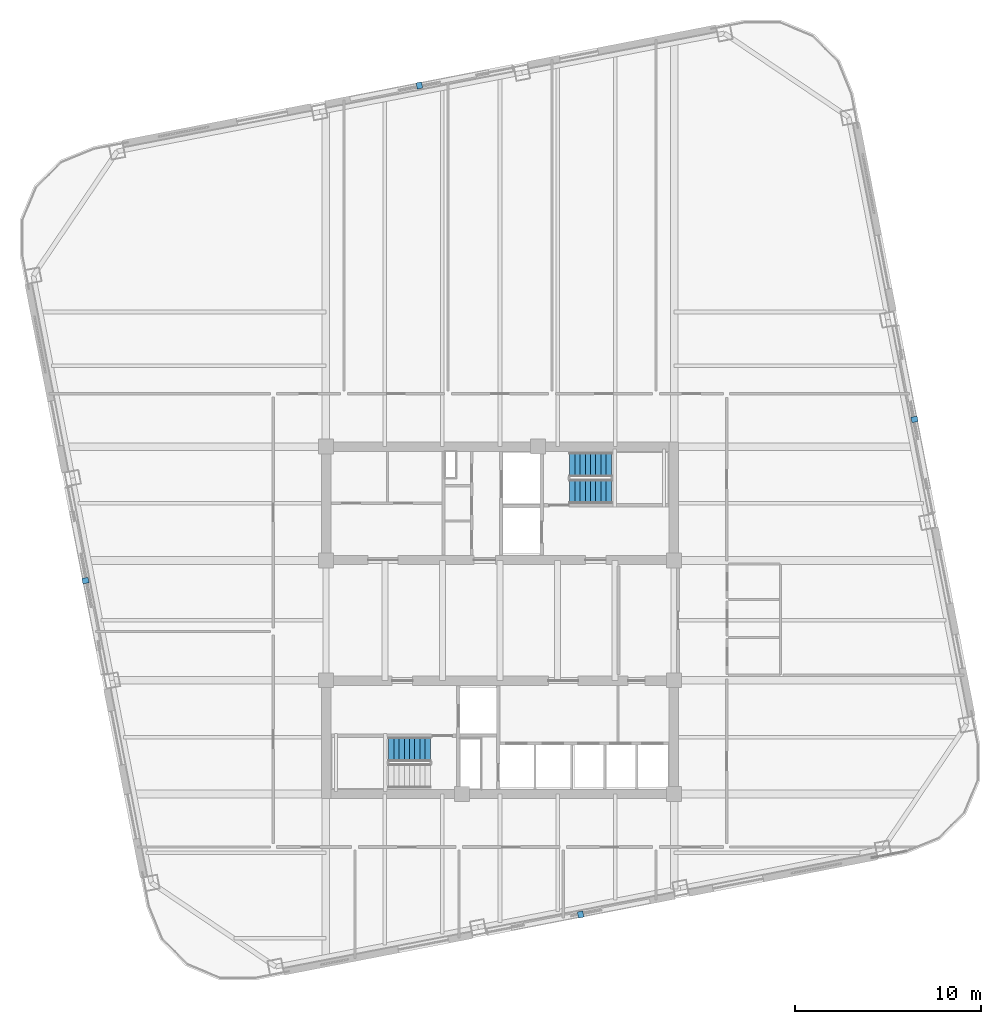
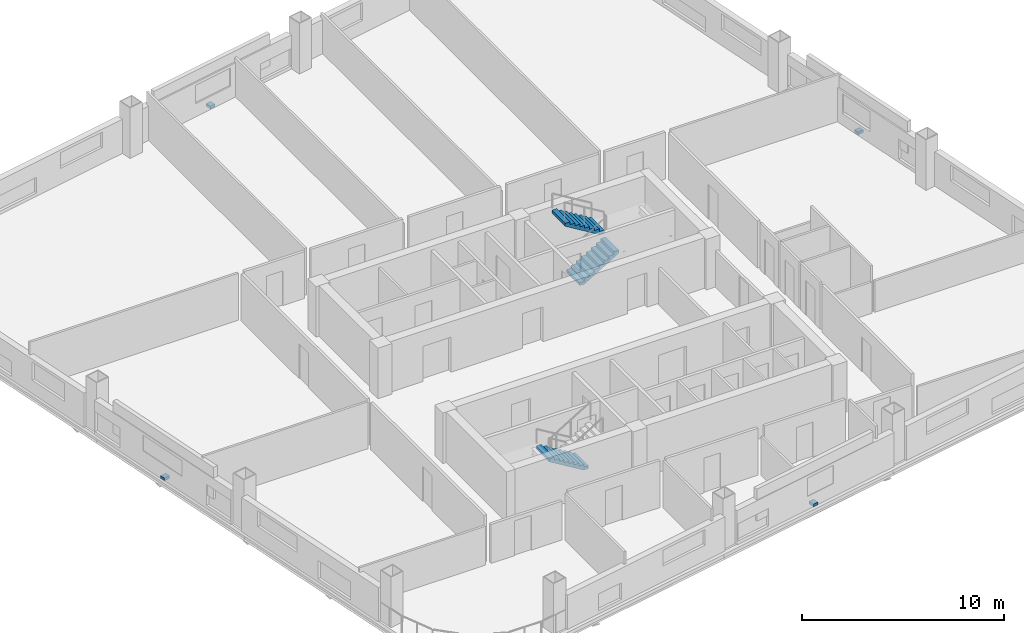
# One storey, part 6 of 9: 4 discrete accessories, 3 stair flights, 2 elements without a shape of their own.
"""IFC4 building model written with IfcOpenShell, lengths in metres."""

from ifc_helpers import new_model, si_unit, direction, frame, origin, origin_2d, place, context, subcontext, project, spatial, polyline, rectangle, outline, extrude, material, type_object, element, aggregate, save


model = new_model("IFC4")

# Units and contexts
model_context = context("Model", 3, precision=1e-05, world=origin(), true_north=direction((0.0, 1.0)))
body_context = subcontext(model_context, "Body", "Model", "MODEL_VIEW")
ifc_project = project(units=[si_unit("LENGTHUNIT", "METRE"), si_unit("AREAUNIT", "SQUARE_METRE"), si_unit("VOLUMEUNIT", "CUBIC_METRE"), si_unit("PLANEANGLEUNIT", "RADIAN"), si_unit("MASSUNIT", "GRAM", prefix="KILO")], contexts=[model_context])

# Site, building, storey
site_placement = place(None, origin())
site = spatial("IfcSite", under=ifc_project, at=site_placement, CompositionType="ELEMENT")
building_placement = place(site_placement, origin())
building = spatial("IfcBuilding", under=site, at=building_placement, Name="Qhalaya Broadcast Tower", CompositionType="ELEMENT")
storey_placement = place(building_placement, frame((0.0, 0.0, 121.949951171875)))
storey = spatial("IfcBuildingStorey", under=building, at=storey_placement, Name="L35", CompositionType="ELEMENT", Elevation=121.949951171875)

# Stair, stair flights
ifc_material_1 = material(Name="Concrete C40/50", Category="concrete")
stair_type = type_object("IfcStairType", Name="Protected Dogleg Core Stair 3150", PredefinedType="TWO_STRAIGHT_RUN_STAIR", material=ifc_material_1)
stair_1_placement = place(storey_placement, origin())
stair_1 = element("IfcStair", 1, at=stair_1_placement, inside=storey, type_object=stair_type, Name="L35 North Core Exit Stair ST-1", PredefinedType="TWO_STRAIGHT_RUN_STAIR")
ifc_material_2 = material(Name="Precast Concrete C40/50", Category="concrete")
stair_flight_type = type_object("IfcStairFlightType", Name="Precast Concrete Stair Flight 3150", PredefinedType="STRAIGHT", material=ifc_material_2)
stair_flight_1_placement = place(storey_placement, frame((3.75, 7.5400390625, 0.0), z_axis=(0.0, 0.0, 1.0), x_axis=(1.0, 0.0, 0.0)))
stair_flight_1 = element("IfcStairFlight", 2, at=stair_flight_1_placement, type_object=stair_flight_type, Name="ST-1 flight 1", NumberOfRisers=9, NumberOfTreads=8, PredefinedType="STRAIGHT", RiserHeight=0.169444444, TreadLength=0.28, context=body_context, shape_type="SweptSolid", body=[
    extrude(outline(polyline([(0.0, 0.0), (0.0, 0.16943359375), (0.280029296875, 0.16943359375), (0.280029296875, 0.3388671875), (0.56005859375, 0.3388671875), (0.56005859375, 0.50830078125), (0.840087890625, 0.50830078125), (0.840087890625, 0.677734375), (1.1201171875, 0.677734375), (1.1201171875, 0.84716796875), (1.39990234375, 0.84716796875), (1.39990234375, 1.0166015625), (1.679931640625, 1.0166015625), (1.679931640625, 1.18603515625), (1.9599609375, 1.18603515625), (1.9599609375, 1.35546875), (2.239990234375, 1.35546875), (2.239990234375, 1.52490234375), (2.239990234375, 1.180419921875), (0.28955078125, 0.0), (0.0, 0.0)])), frame((0.0, 0.66015625, 0.0), z_axis=(0.0, -1.0, 0.0), x_axis=(1.0, 0.0, 0.0)), (0.0, 0.0, 1.0), 1.320068359375),
])
stair_flight_2_placement = place(storey_placement, frame((5.989990234375, 8.97998046875, 1.525146484375), z_axis=(0.0, 0.0, 1.0), x_axis=(-1.0, 0.0, 0.0)))
stair_flight_2 = element("IfcStairFlight", 3, at=stair_flight_2_placement, type_object=stair_flight_type, Name="ST-1 flight 2", NumberOfRisers=9, NumberOfTreads=8, PredefinedType="STRAIGHT", RiserHeight=0.169444444, TreadLength=0.28, context=body_context, shape_type="SweptSolid", body=[
    extrude(outline(polyline([(0.0, 0.0), (0.0, 0.16943359375), (0.280029296875, 0.16943359375), (0.280029296875, 0.3388671875), (0.56005859375, 0.3388671875), (0.56005859375, 0.50830078125), (0.840087890625, 0.50830078125), (0.840087890625, 0.677734375), (1.1201171875, 0.677734375), (1.1201171875, 0.84716796875), (1.39990234375, 0.84716796875), (1.39990234375, 1.0166015625), (1.679931640625, 1.0166015625), (1.679931640625, 1.18603515625), (1.9599609375, 1.18603515625), (1.9599609375, 1.35546875), (2.239990234375, 1.35546875), (2.239990234375, 1.52490234375), (2.239990234375, 1.180419921875), (0.28955078125, 0.0), (0.0, 0.0)])), frame((0.0, 0.66015625, 0.0), z_axis=(0.0, -1.0, 0.0), x_axis=(1.0, 0.0, 0.0)), (0.0, 0.0, 1.0), 1.320068359375),
])
aggregate(stair_1, [stair_flight_1, stair_flight_2])

# Stair, stair flight
stair_2_placement = place(storey_placement, origin())
stair_2 = element("IfcStair", 4, at=stair_2_placement, inside=storey, type_object=stair_type, Name="L35 South Core Exit Stair ST-2", PredefinedType="TWO_STRAIGHT_RUN_STAIR")
stair_flight_3_placement = place(storey_placement, frame((-3.75, -6.340087890625, 0.0), z_axis=(0.0, 0.0, 1.0), x_axis=(-1.0, 0.0, 0.0)))
stair_flight_3 = element("IfcStairFlight", 5, at=stair_flight_3_placement, type_object=stair_flight_type, Name="ST-2 flight 1", NumberOfRisers=9, NumberOfTreads=8, PredefinedType="STRAIGHT", RiserHeight=0.169444444, TreadLength=0.28, context=body_context, shape_type="SweptSolid", body=[
    extrude(outline(polyline([(0.0, 0.0), (0.0, 0.16943359375), (0.280029296875, 0.16943359375), (0.280029296875, 0.3388671875), (0.56005859375, 0.3388671875), (0.56005859375, 0.50830078125), (0.840087890625, 0.50830078125), (0.840087890625, 0.677734375), (1.1201171875, 0.677734375), (1.1201171875, 0.84716796875), (1.39990234375, 0.84716796875), (1.39990234375, 1.0166015625), (1.679931640625, 1.0166015625), (1.679931640625, 1.18603515625), (1.9599609375, 1.18603515625), (1.9599609375, 1.35546875), (2.239990234375, 1.35546875), (2.239990234375, 1.52490234375), (2.239990234375, 1.180419921875), (0.28955078125, 0.0), (0.0, 0.0)])), frame((0.0, 0.66015625, 0.0), z_axis=(0.0, -1.0, 0.0), x_axis=(1.0, 0.0, 0.0)), (0.0, 0.0, 1.0), 1.320068359375),
])
aggregate(stair_2, [stair_flight_3])

# Discrete accessories
ifc_material_3 = material(Name="Structural Steel ASTM A572 Grade 50", Category="steel")
discrete_accessory_type = type_object("IfcDiscreteAccessoryType", Name="Facade Baguette Support Bracket BRK-01", PredefinedType="BRACKET", material=ifc_material_3)
for number, where, z_axis, x_axis, name in (
    (6, (4.337158203125, -15.232421875, 0.0), (0.0, 0.0, 1.0), (0.981627183448, 0.190808995377, 0.0), "L35 Baguette Support Bracket S"),
    (7, (22.3125, 11.4169921875, 0.0), (0.0, 0.0, 1.0), (-0.190808995377, 0.981627183448, 0.0), "L35 Baguette Support Bracket E"),
    (8, (-4.337158203125, 29.392333984375, 0.0), (0.0, 0.0, 1.0), (-0.981627183448, -0.190808995377, 0.0), "L35 Baguette Support Bracket N"),
    (9, (-22.3125, 2.742919921875, 0.0), (0.0, 0.0, 1.0), (0.190808995377, -0.981627183448, 0.0), "L35 Baguette Support Bracket W"),
):
    element("IfcDiscreteAccessory", number, at=place(storey_placement, frame(where, z_axis=z_axis, x_axis=x_axis)), inside=storey, type_object=discrete_accessory_type, Name=name, PredefinedType="BRACKET", context=body_context, shape_type="SweptSolid", body=[
        extrude(rectangle(XDim=0.300048828125, YDim=0.340087890625, at=origin_2d()), origin(), (0.0, 0.0, 1.0), 0.159912109375),
    ])

save(model, "model.ifc")
